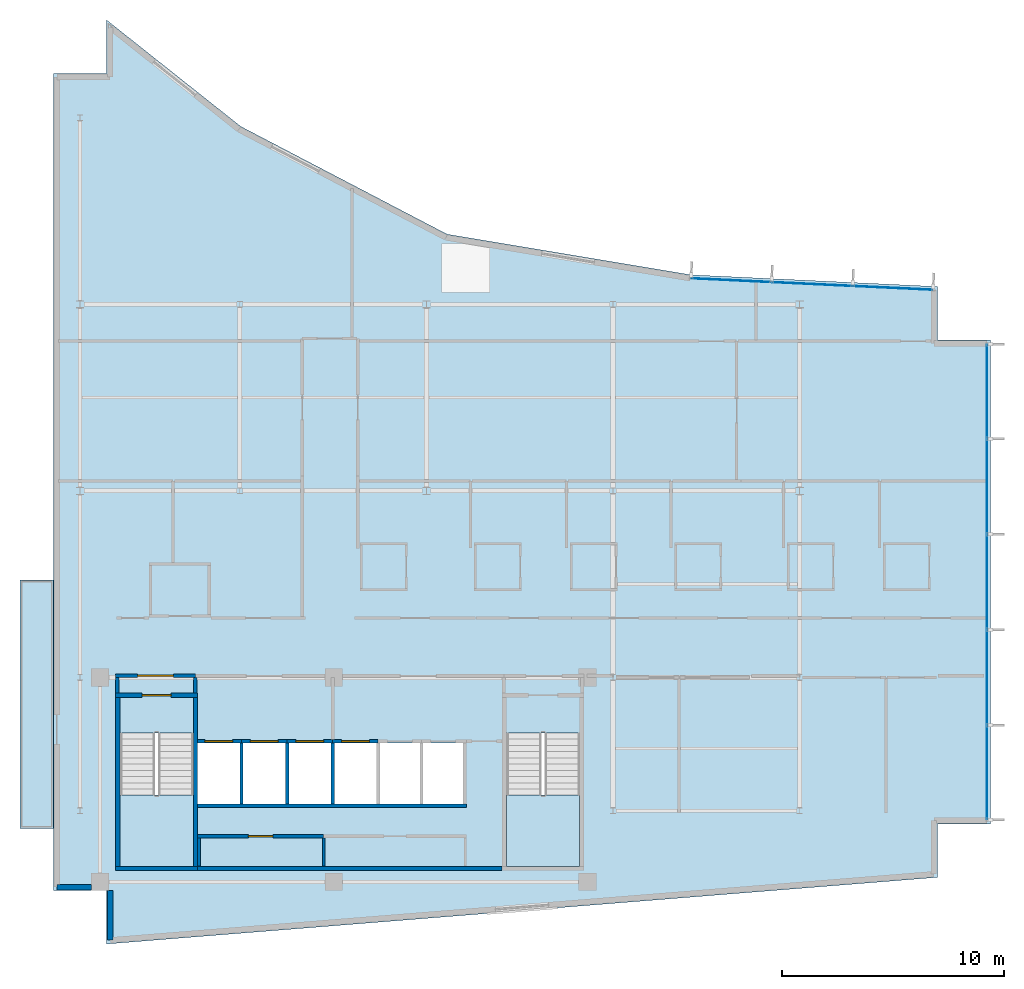
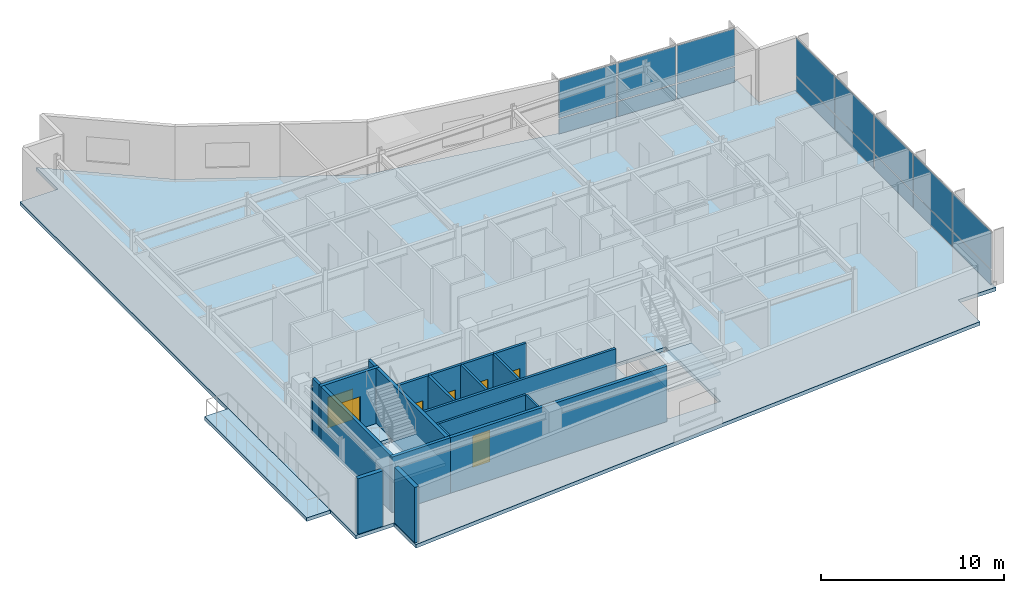
# One storey, part 9 of 16: 21 walls, 16 plates, 7 doors, 4 slabs, 7 openings, 4 elements without a shape of their own.
"""IFC4 building model written with IfcOpenShell, lengths in metres."""

from ifc_helpers import new_model, si_unit, direction, frame, frame_2d, origin, origin_2d, place, context, subcontext, project, spatial, polyline, rectangle, outline, extrude, material, layer, layer_set, type_object, element, fill, aggregate, save


model = new_model("IFC4")

# Units and contexts
model_context = context("Model", 3, precision=1e-05, world=origin(), true_north=direction((0.0, 1.0)))
body_context = subcontext(model_context, "Body", "Model", "MODEL_VIEW")
ifc_project = project(units=[si_unit("LENGTHUNIT", "METRE"), si_unit("AREAUNIT", "SQUARE_METRE"), si_unit("VOLUMEUNIT", "CUBIC_METRE"), si_unit("PLANEANGLEUNIT", "RADIAN"), si_unit("MASSUNIT", "GRAM", prefix="KILO")], contexts=[model_context])

# Site, building, storey
site_placement = place(None, origin())
site = spatial("IfcSite", under=ifc_project, at=site_placement, CompositionType="ELEMENT")
building_placement = place(site_placement, origin())
building = spatial("IfcBuilding", under=site, at=building_placement, Name="Varnakote Quay Hospital", CompositionType="ELEMENT")
storey_placement = place(building_placement, frame((0.0, 0.0, 260.5)))
storey = spatial("IfcBuildingStorey", under=building, at=storey_placement, Name="L64", CompositionType="ELEMENT", Elevation=260.5)

# Curtain wall, plates
ifc_material_1 = material(Name="Anodised aluminium 6063-T6 Bronze", Category="aluminium")
ifc_layer_1 = layer(ifc_material_1, 0.235107421875)
ifc_layer_set_1 = layer_set([ifc_layer_1], Name="Anodised aluminium 6063-T6 Bronze")
curtain_wall_type = type_object("IfcCurtainWallType", Name="CW-SYS-5", PredefinedType="NOTDEFINED", material=ifc_layer_set_1)
curtain_wall_1_placement = place(storey_placement, origin())
curtain_wall_1 = element("IfcCurtainWall", 1, at=curtain_wall_1_placement, inside=storey, type_object=curtain_wall_type, Name="L64 Unitised Bronze Curtain Wall 1", PredefinedType="NOTDEFINED")
ifc_material_2 = material(Name="Double-glazed low-E solar glass", Category="glass")
ifc_layer_2 = layer(ifc_material_2, 0.028076171875)
ifc_layer_set_2 = layer_set([ifc_layer_2], Name="Double-glazed low-E solar glass")
plate_type = type_object("IfcPlateType", Name="CW-PNL-GLZ-28", PredefinedType="CURTAIN_PANEL", material=ifc_layer_set_2)
plate_1_placement = place(storey_placement, frame((42.0400390625, 7.724365234375, 0.06494140625), z_axis=(0.0, 0.0, 1.0), x_axis=(0.0, 1.0, 0.0)))
plate_1 = element("IfcPlate", 2, at=plate_1_placement, type_object=plate_type, Name="-5-L64-1 panel 1.1", PredefinedType="CURTAIN_PANEL", context=body_context, shape_type="SweptSolid", body=[
    extrude(rectangle(XDim=4.198486328125, YDim=0.028076171875, at=origin_2d()), origin(), (0.0, 0.0, 1.0), 1.00244140625),
])
plate_2_placement = place(storey_placement, frame((42.0400390625, 7.724365234375, 1.13232421875), z_axis=(0.0, 0.0, 1.0), x_axis=(0.0, 1.0, 0.0)))
plate_2 = element("IfcPlate", 3, at=plate_2_placement, type_object=plate_type, Name="-5-L64-1 panel 1.2", PredefinedType="CURTAIN_PANEL", context=body_context, shape_type="SweptSolid", body=[
    extrude(rectangle(XDim=4.198486328125, YDim=0.028076171875, at=origin_2d()), origin(), (0.0, 0.0, 1.0), 2.512451171875),
])
plate_3_placement = place(storey_placement, frame((42.0400390625, 12.00390625, 0.06494140625), z_axis=(0.0, 0.0, 1.0), x_axis=(0.0, 1.0, 0.0)))
plate_3 = element("IfcPlate", 4, at=plate_3_placement, type_object=plate_type, Name="-5-L64-1 panel 2.1", PredefinedType="CURTAIN_PANEL", context=body_context, shape_type="SweptSolid", body=[
    extrude(rectangle(XDim=4.23095703125, YDim=0.028076171875, at=origin_2d()), origin(), (0.0, 0.0, 1.0), 1.00244140625),
])
plate_4_placement = place(storey_placement, frame((42.0400390625, 12.00390625, 1.13232421875), z_axis=(0.0, 0.0, 1.0), x_axis=(0.0, 1.0, 0.0)))
plate_4 = element("IfcPlate", 5, at=plate_4_placement, type_object=plate_type, Name="-5-L64-1 panel 2.2", PredefinedType="CURTAIN_PANEL", context=body_context, shape_type="SweptSolid", body=[
    extrude(rectangle(XDim=4.23095703125, YDim=0.028076171875, at=origin_2d()), origin(), (0.0, 0.0, 1.0), 2.512451171875),
])
plate_5_placement = place(storey_placement, frame((42.0400390625, 16.300048828125, 0.06494140625), z_axis=(0.0, 0.0, 1.0), x_axis=(0.0, 1.0, 0.0)))
plate_5 = element("IfcPlate", 6, at=plate_5_placement, type_object=plate_type, Name="-5-L64-1 panel 3.1", PredefinedType="CURTAIN_PANEL", context=body_context, shape_type="SweptSolid", body=[
    extrude(rectangle(XDim=4.23095703125, YDim=0.028076171875, at=origin_2d()), origin(), (0.0, 0.0, 1.0), 1.00244140625),
])
plate_6_placement = place(storey_placement, frame((42.0400390625, 16.300048828125, 1.13232421875), z_axis=(0.0, 0.0, 1.0), x_axis=(0.0, 1.0, 0.0)))
plate_6 = element("IfcPlate", 7, at=plate_6_placement, type_object=plate_type, Name="-5-L64-1 panel 3.2", PredefinedType="CURTAIN_PANEL", context=body_context, shape_type="SweptSolid", body=[
    extrude(rectangle(XDim=4.23095703125, YDim=0.028076171875, at=origin_2d()), origin(), (0.0, 0.0, 1.0), 2.512451171875),
])
plate_7_placement = place(storey_placement, frame((42.0400390625, 20.595947265625, 0.06494140625), z_axis=(0.0, 0.0, 1.0), x_axis=(0.0, 1.0, 0.0)))
plate_7 = element("IfcPlate", 8, at=plate_7_placement, type_object=plate_type, Name="-5-L64-1 panel 4.1", PredefinedType="CURTAIN_PANEL", context=body_context, shape_type="SweptSolid", body=[
    extrude(rectangle(XDim=4.23095703125, YDim=0.028076171875, at=origin_2d()), origin(), (0.0, 0.0, 1.0), 1.00244140625),
])
plate_8_placement = place(storey_placement, frame((42.0400390625, 20.595947265625, 1.13232421875), z_axis=(0.0, 0.0, 1.0), x_axis=(0.0, 1.0, 0.0)))
plate_8 = element("IfcPlate", 9, at=plate_8_placement, type_object=plate_type, Name="-5-L64-1 panel 4.2", PredefinedType="CURTAIN_PANEL", context=body_context, shape_type="SweptSolid", body=[
    extrude(rectangle(XDim=4.23095703125, YDim=0.028076171875, at=origin_2d()), origin(), (0.0, 0.0, 1.0), 2.512451171875),
])
plate_9_placement = place(storey_placement, frame((42.0400390625, 24.875732421875, 0.06494140625), z_axis=(0.0, 0.0, 1.0), x_axis=(0.0, 1.0, 0.0)))
plate_9 = element("IfcPlate", 10, at=plate_9_placement, type_object=plate_type, Name="-5-L64-1 panel 5.1", PredefinedType="CURTAIN_PANEL", context=body_context, shape_type="SweptSolid", body=[
    extrude(rectangle(XDim=4.198486328125, YDim=0.028076171875, at=origin_2d()), origin(), (0.0, 0.0, 1.0), 1.00244140625),
])
plate_10_placement = place(storey_placement, frame((42.0400390625, 24.875732421875, 1.13232421875), z_axis=(0.0, 0.0, 1.0), x_axis=(0.0, 1.0, 0.0)))
plate_10 = element("IfcPlate", 11, at=plate_10_placement, type_object=plate_type, Name="-5-L64-1 panel 5.2", PredefinedType="CURTAIN_PANEL", context=body_context, shape_type="SweptSolid", body=[
    extrude(rectangle(XDim=4.198486328125, YDim=0.028076171875, at=origin_2d()), origin(), (0.0, 0.0, 1.0), 2.512451171875),
])
aggregate(curtain_wall_1, [plate_1, plate_2, plate_3, plate_4, plate_5, plate_6, plate_7, plate_8, plate_9, plate_10])

curtain_wall_2_placement = place(storey_placement, origin())
curtain_wall_2 = element("IfcCurtainWall", 12, at=curtain_wall_2_placement, inside=storey, type_object=curtain_wall_type, Name="L64 Unitised Bronze Curtain Wall 2", PredefinedType="NOTDEFINED")
plate_11_placement = place(storey_placement, frame((37.796875, 29.53515625, 0.06494140625), z_axis=(0.0, 0.0, 1.0), x_axis=(-0.998871392955, 0.04749674026, 0.0)))
plate_11 = element("IfcPlate", 13, at=plate_11_placement, type_object=plate_type, Name="-5-L64-2 panel 1.1", PredefinedType="CURTAIN_PANEL", context=body_context, shape_type="SweptSolid", body=[
    extrude(rectangle(XDim=3.560302734375, YDim=0.028076171875, at=origin_2d()), origin(), (0.0, 0.0, 1.0), 1.00244140625),
])
plate_12_placement = place(storey_placement, frame((37.796875, 29.53515625, 1.13232421875), z_axis=(0.0, 0.0, 1.0), x_axis=(-0.998871392955, 0.04749674026, 0.0)))
plate_12 = element("IfcPlate", 14, at=plate_12_placement, type_object=plate_type, Name="-5-L64-2 panel 1.2", PredefinedType="CURTAIN_PANEL", context=body_context, shape_type="SweptSolid", body=[
    extrude(rectangle(XDim=3.560302734375, YDim=0.028076171875, at=origin_2d()), origin(), (0.0, 0.0, 1.0), 2.512451171875),
])
plate_13_placement = place(storey_placement, frame((34.159423828125, 29.7080078125, 0.06494140625), z_axis=(0.0, 0.0, 1.0), x_axis=(-0.998871392955, 0.04749674026, 0.0)))
plate_13 = element("IfcPlate", 15, at=plate_13_placement, type_object=plate_type, Name="-5-L64-2 panel 2.1", PredefinedType="CURTAIN_PANEL", context=body_context, shape_type="SweptSolid", body=[
    extrude(rectangle(XDim=3.5927734375, YDim=0.028076171875, at=origin_2d()), origin(), (0.0, 0.0, 1.0), 1.00244140625),
])
plate_14_placement = place(storey_placement, frame((34.159423828125, 29.7080078125, 1.13232421875), z_axis=(0.0, 0.0, 1.0), x_axis=(-0.998871392955, 0.04749674026, 0.0)))
plate_14 = element("IfcPlate", 16, at=plate_14_placement, type_object=plate_type, Name="-5-L64-2 panel 2.2", PredefinedType="CURTAIN_PANEL", context=body_context, shape_type="SweptSolid", body=[
    extrude(rectangle(XDim=3.5927734375, YDim=0.028076171875, at=origin_2d()), origin(), (0.0, 0.0, 1.0), 2.512451171875),
])
plate_15_placement = place(storey_placement, frame((30.52197265625, 29.880859375, 0.06494140625), z_axis=(0.0, 0.0, 1.0), x_axis=(-0.998871392955, 0.04749674026, 0.0)))
plate_15 = element("IfcPlate", 17, at=plate_15_placement, type_object=plate_type, Name="-5-L64-2 panel 3.1", PredefinedType="CURTAIN_PANEL", context=body_context, shape_type="SweptSolid", body=[
    extrude(rectangle(XDim=3.560302734375, YDim=0.028076171875, at=origin_2d()), origin(), (0.0, 0.0, 1.0), 1.00244140625),
])
plate_16_placement = place(storey_placement, frame((30.52197265625, 29.880859375, 1.13232421875), z_axis=(0.0, 0.0, 1.0), x_axis=(-0.998871392955, 0.04749674026, 0.0)))
plate_16 = element("IfcPlate", 18, at=plate_16_placement, type_object=plate_type, Name="-5-L64-2 panel 3.2", PredefinedType="CURTAIN_PANEL", context=body_context, shape_type="SweptSolid", body=[
    extrude(rectangle(XDim=3.560302734375, YDim=0.028076171875, at=origin_2d()), origin(), (0.0, 0.0, 1.0), 2.512451171875),
])
aggregate(curtain_wall_2, [plate_11, plate_12, plate_13, plate_14, plate_15, plate_16])

# Stair, slab
ifc_material_3 = material(Name="Concrete N40 (f'c 40 MPa)", Category="concrete")
stair_type = type_object("IfcStairType", Name="STR-CORE-1580", PredefinedType="HALF_TURN_STAIR", material=ifc_material_3)
stair_1_placement = place(storey_placement, origin())
stair_1 = element("IfcStair", 19, at=stair_1_placement, inside=storey, type_object=stair_type, Name="L64 Fire-Isolated Exit Stair ST-01", PredefinedType="HALF_TURN_STAIR")
ifc_material_4 = material(Name="Concrete N40 (f'c 40 MPa)", Category="concrete")
ifc_layer_3 = layer(ifc_material_4, 0.199951171875)
ifc_layer_set_3 = layer_set([ifc_layer_3], Name="Concrete N40 (f'c 40 MPa)")
slab_type_1 = type_object("IfcSlabType", Name="SLB-STAIR-LND-200", PredefinedType="LANDING", material=ifc_layer_set_3)
slab_1_placement = place(storey_placement, frame((0.0, 0.0, 1.77490234375)))
slab_1 = element("IfcSlab", 20, at=slab_1_placement, type_object=slab_type_1, Name="ST-01 landing 1", PredefinedType="LANDING", context=body_context, shape_type="SweptSolid", body=[
    extrude(outline(polyline([(3.0, 6.699951171875), (3.0, 3.5), (6.300048828125, 3.5), (6.300048828125, 6.699951171875), (3.0, 6.699951171875)])), origin(), (0.0, 0.0, 1.0), 0.2001953125),
])
aggregate(stair_1, [slab_1])

stair_2_placement = place(storey_placement, origin())
stair_2 = element("IfcStair", 21, at=stair_2_placement, inside=storey, type_object=stair_type, Name="L64 Fire-Isolated Exit Stair ST-02", PredefinedType="HALF_TURN_STAIR")
slab_2_placement = place(storey_placement, frame((0.0, 0.0, 1.77490234375)))
slab_2 = element("IfcSlab", 22, at=slab_2_placement, type_object=slab_type_1, Name="ST-02 landing 1", PredefinedType="LANDING", context=body_context, shape_type="SweptSolid", body=[
    extrude(outline(polyline([(20.39990234375, 6.699951171875), (20.39990234375, 3.5), (23.699951171875, 3.5), (23.699951171875, 6.699951171875), (20.39990234375, 6.699951171875)])), origin(), (0.0, 0.0, 1.0), 0.2001953125),
])
aggregate(stair_2, [slab_2])

# Slabs
ifc_material_5 = material(Name="Concrete N50 (f'c 50 MPa)", Category="concrete")
ifc_layer_4 = layer(ifc_material_5, 0.239990234375)
ifc_layer_set_4 = layer_set([ifc_layer_4], Name="Concrete N50 (f'c 50 MPa)")
slab_type_2 = type_object("IfcSlabType", Name="SLB-TERR-200", PredefinedType="FLOOR", material=ifc_layer_set_4)
slab_3_placement = place(storey_placement, frame((0.0, 0.0, -0.239990234375)))
element("IfcSlab", 23, at=slab_3_placement, inside=storey, type_object=slab_type_2, Name="L64 Waterfront Healing Terrace Slab", PredefinedType="FLOOR", context=body_context, shape_type="SweptSolid", body=[
    extrude(outline(polyline([(0.00390625, 5.199951171875), (0.00390625, 16.39990234375), (-1.5, 16.39990234375), (-1.5, 5.199951171875), (0.00390625, 5.199951171875)])), origin(), (0.0, 0.0, 1.0), 0.239990234375),
])
ifc_material_6 = material(Name="Concrete N50 (f'c 50 MPa)", Category="concrete")
ifc_layer_5 = layer(ifc_material_6, 0.239990234375)
ifc_layer_set_5 = layer_set([ifc_layer_5], Name="Concrete N50 (f'c 50 MPa)")
slab_type_3 = type_object("IfcSlabType", Name="SLB-WARD-200", PredefinedType="FLOOR", material=ifc_layer_set_5)
slab_4_placement = place(storey_placement, frame((0.0, 0.0, -0.239990234375)))
element("IfcSlab", 24, at=slab_4_placement, inside=storey, type_object=slab_type_3, Name="L64 Primary Floor Slab", PredefinedType="FLOOR", context=body_context, shape_type="SweptSolid", body=[
    extrude(outline(polyline([(0.0, 2.39990234375), (2.39990234375, 2.39990234375), (2.39990234375, 0.0), (39.800048828125, 3.0), (39.800048828125, 5.39990234375), (42.199951171875, 5.39990234375), (42.199951171875, 27.199951171875), (39.800048828125, 27.199951171875), (39.800048828125, 29.60009765625), (28.696044921875, 30.1279296875), (17.72412109375, 31.9599609375), (8.43994140625, 36.80810546875), (2.39990234375, 41.60009765625), (2.39990234375, 39.199951171875), (0.0, 39.199951171875), (0.0, 2.39990234375)]), holes=[polyline([(3.0, 3.5), (6.300048828125, 3.5), (6.300048828125, 9.49951171875), (3.0, 9.49951171875), (3.0, 3.5)]), polyline([(20.39990234375, 3.5), (23.699951171875, 3.5), (23.699951171875, 9.49951171875), (20.39990234375, 9.49951171875), (20.39990234375, 3.5)]), polyline([(6.5, 6.300048828125), (8.39990234375, 6.300048828125), (8.39990234375, 9.050048828125), (6.5, 9.050048828125), (6.5, 6.300048828125)]), polyline([(8.550048828125, 6.300048828125), (10.449951171875, 6.300048828125), (10.449951171875, 9.050048828125), (8.550048828125, 9.050048828125), (8.550048828125, 6.300048828125)]), polyline([(10.60009765625, 6.300048828125), (12.5, 6.300048828125), (12.5, 9.050048828125), (10.60009765625, 9.050048828125), (10.60009765625, 6.300048828125)]), polyline([(12.64990234375, 6.300048828125), (14.550048828125, 6.300048828125), (14.550048828125, 9.050048828125), (12.64990234375, 9.050048828125), (12.64990234375, 6.300048828125)]), polyline([(14.699951171875, 6.300048828125), (16.5, 6.300048828125), (16.5, 9.050048828125), (14.699951171875, 9.050048828125), (14.699951171875, 6.300048828125)]), polyline([(16.64990234375, 6.300048828125), (18.449951171875, 6.300048828125), (18.449951171875, 9.050048828125), (16.64990234375, 9.050048828125), (16.64990234375, 6.300048828125)])]), origin(), (0.0, 0.0, 1.0), 0.239990234375),
])

# Wall
ifc_material_7 = material(Name="Fire-rated acoustic gypsum stud wall", Category="gypsum")
ifc_layer_6 = layer(ifc_material_7, 0.159912109375)
ifc_layer_set_6 = layer_set([ifc_layer_6], Name="Fire-rated acoustic gypsum stud wall")
wall_type_1 = type_object("IfcWallType", Name="WL-COMP-160", PredefinedType="PARTITIONING", material=ifc_layer_set_6)
wall_1_placement = place(storey_placement, frame((2.8798828125, 11.300048828125, 0.0), z_axis=(0.0, 0.0, 1.0), x_axis=(0.0, 1.0, 0.0)))
element("IfcWall", 25, at=wall_1_placement, inside=storey, type_object=wall_type_1, Name="L64 West Stair Vestibule West Wall", PredefinedType="PARTITIONING", context=body_context, shape_type="SweptSolid", body=[
    extrude(rectangle(XDim=0.699951171875, YDim=0.159912109375, at=frame_2d((0.35009765625, 0.0))), origin(), (0.0, 0.0, 1.0), 3.7099609375),
])

# Wall, opening, door
wall_2_placement = place(storey_placement, frame((2.800048828125, 12.080078125, 0.0), z_axis=(0.0, 0.0, 1.0), x_axis=(1.0, 0.0, 0.0)))
wall_2 = element("IfcWall", 26, at=wall_2_placement, inside=storey, type_object=wall_type_1, Name="L64 West Stair Vestibule Smoke Wall", PredefinedType="PARTITIONING", context=body_context, shape_type="SweptSolid", body=[
    extrude(rectangle(XDim=3.599853515625, YDim=0.159912109375, at=frame_2d((1.7998046875, 0.0))), origin(), (0.0, 0.0, 1.0), 3.156982421875),
])
opening_1_placement = place(wall_2_placement, frame((1.0, 0.0, 0.0)))
opening_1 = element("IfcOpeningElement", 27, at=opening_1_placement, cuts=wall_2, Name="Opening D-ST1L-L64", PredefinedType="OPENING", context=body_context, shape_type="SweptSolid", body=[
    extrude(rectangle(XDim=1.60009765625, YDim=2.050048828125, at=frame_2d((0.800048828125, 1.02490234375))), frame((0.0, 0.08984375, 0.0), z_axis=(0.0, -1.0, 0.0), x_axis=(1.0, 0.0, 0.0)), (0.0, 0.0, 1.0), 0.179931640625),
])
ifc_material_8 = material(Name="Fire-rated double smoke lobby door")
door_type_1 = type_object("IfcDoorType", Name="DR-LOBBY-FD60S-1600x2150", OperationType="NOTDEFINED", PredefinedType="DOOR", material=ifc_material_8)
door_1_placement = place(opening_1_placement, origin())
door_1 = element("IfcDoor", 28, at=door_1_placement, inside=storey, type_object=door_type_1, Name="L64 West Stair Vestibule Smoke Door", OperationType="DOUBLE_DOOR_SINGLE_SWING", OverallHeight=2.050048828125, OverallWidth=1.60009765625, PredefinedType="DOOR", context=body_context, shape_type="SweptSolid", body=[
    extrude(rectangle(XDim=1.60009765625, YDim=2.050048828125, at=frame_2d((0.800048828125, 1.02490234375))), frame((0.0, 0.02490234375, 0.0), z_axis=(0.0, -1.0, 0.0), x_axis=(1.0, 0.0, 0.0)), (0.0, 0.0, 1.0), 0.050048828125),
])
fill(opening_1, door_1)

# Walls
wall_3_placement = place(storey_placement, frame((6.39990234375, 11.300048828125, 0.0), z_axis=(0.0, 0.0, 1.0), x_axis=(0.0, 1.0, 0.0)))
element("IfcWall", 29, at=wall_3_placement, inside=storey, type_object=wall_type_1, Name="L64 Firefighting Lobby West Wall", PredefinedType="PARTITIONING", context=body_context, shape_type="SweptSolid", body=[
    extrude(rectangle(XDim=0.699951171875, YDim=0.159912109375, at=frame_2d((0.35009765625, 0.0))), origin(), (0.0, 0.0, 1.0), 3.7099609375),
])
ifc_material_9 = material(Name="Concrete N50 (f'c 50 MPa)", Category="concrete")
ifc_layer_7 = layer(ifc_material_9, 0.199951171875)
ifc_layer_set_7 = layer_set([ifc_layer_7], Name="Concrete N50 (f'c 50 MPa)")
wall_type_2 = type_object("IfcWallType", Name="WL-CORE-N50-200", PredefinedType="SHEAR", material=ifc_layer_set_7)
wall_4_placement = place(storey_placement, frame((6.5, 3.39990234375, 0.0), z_axis=(0.0, 0.0, 1.0), x_axis=(1.0, 0.0, 0.0)))
element("IfcWall", 30, at=wall_4_placement, inside=storey, type_object=wall_type_2, Name="L64 Rear Core South Shear Wall", PredefinedType="SHEAR", context=body_context, shape_type="SweptSolid", body=[
    extrude(rectangle(XDim=13.699951171875, YDim=0.199951171875, at=frame_2d((6.85009765625, 0.0))), origin(), (0.0, 0.0, 1.0), 3.7099609375),
])
ifc_material_10 = material(Name="Precast concrete N50 (f'c 50 MPa)", Category="concrete")
ifc_layer_8 = layer(ifc_material_10, 0.260009765625)
ifc_layer_set_8 = layer_set([ifc_layer_8], Name="Precast concrete N50 (f'c 50 MPa)")
wall_type_3 = type_object("IfcWallType", Name="WL-EXT-BRICK-260", PredefinedType="STANDARD", material=ifc_layer_set_8)
wall_5_placement = place(storey_placement, frame((2.56005859375, 2.4150390625, 0.0), z_axis=(0.0, 0.0, 1.0), x_axis=(0.0, -1.0, 0.0)))
element("IfcWall", 31, at=wall_5_placement, inside=storey, type_object=wall_type_3, Name="L64 Brick-Faced Precast Exterior Wall", PredefinedType="STANDARD", context=body_context, shape_type="SweptSolid", body=[
    extrude(rectangle(XDim=2.24169921875, YDim=0.260009765625, at=frame_2d((1.120849609375, 0.0))), origin(), (0.0, 0.0, 1.0), 3.7099609375),
])
wall_6_placement = place(storey_placement, frame((0.159912109375, 2.56005859375, 0.0), z_axis=(0.0, 0.0, 1.0), x_axis=(1.0, 0.0, 0.0)))
element("IfcWall", 32, at=wall_6_placement, inside=storey, type_object=wall_type_3, Name="L64 Brick-Faced Precast Exterior Wall", PredefinedType="STANDARD", context=body_context, shape_type="SweptSolid", body=[
    extrude(rectangle(XDim=1.55517578125, YDim=0.260009765625, at=frame_2d((0.777587890625, 0.0))), origin(), (0.0, 0.0, 1.0), 3.7099609375),
])
ifc_material_11 = material(Name="Concrete N50 (f'c 50 MPa)", Category="concrete")
ifc_layer_9 = layer(ifc_material_11, 0.14990234375)
ifc_layer_set_9 = layer_set([ifc_layer_9], Name="Concrete N50 (f'c 50 MPa)")
wall_type_4 = type_object("IfcWallType", Name="WL-SHAFT-N50-150", PredefinedType="SHEAR", material=ifc_layer_set_9)
for number, where, z_axis, x_axis, name in (
    (33, (8.47509765625, 6.300048828125, 0.0), (0.0, 0.0, 1.0), (0.0, 1.0, 0.0), "L64 LF-FF1 Hoistway Divider Wall"),
    (34, (10.52490234375, 6.300048828125, 0.0), (0.0, 0.0, 1.0), (0.0, 1.0, 0.0), "L64 LF-FF2 Hoistway Divider Wall"),
    (35, (12.574951171875, 6.300048828125, 0.0), (0.0, 0.0, 1.0), (0.0, 1.0, 0.0), "L64 LF-SV1 Hoistway Divider Wall"),
):
    element("IfcWall", number, at=place(storey_placement, frame(where, z_axis=z_axis, x_axis=x_axis)), inside=storey, type_object=wall_type_4, Name=name, PredefinedType="SHEAR", context=body_context, shape_type="SweptSolid", body=[
        extrude(rectangle(XDim=2.75, YDim=0.14990234375, at=frame_2d((1.375, 0.0))), origin(), (0.0, 0.0, 1.0), 3.7099609375),
    ])
ifc_material_12 = material(Name="Concrete N50 (f'c 50 MPa)", Category="concrete")
ifc_layer_10 = layer(ifc_material_12, 0.159912109375)
ifc_layer_set_10 = layer_set([ifc_layer_10], Name="Concrete N50 (f'c 50 MPa)")
wall_type_5 = type_object("IfcWallType", Name="WL-SHAFT-N50-160", PredefinedType="SHEAR", material=ifc_layer_set_10)
wall_7_placement = place(storey_placement, frame((6.5, 6.219970703125, 0.0), z_axis=(0.0, 0.0, 1.0), x_axis=(1.0, 0.0, 0.0)))
element("IfcWall", 36, at=wall_7_placement, inside=storey, type_object=wall_type_5, Name="L64 REAR Lift Bank Back Shear Wall", PredefinedType="SHEAR", context=body_context, shape_type="SweptSolid", body=[
    extrude(rectangle(XDim=12.110107421875, YDim=0.159912109375, at=frame_2d((6.05517578125, 0.0))), origin(), (0.0, 0.0, 1.0), 3.7099609375),
])

# Wall, opening, door
wall_8_placement = place(storey_placement, frame((6.5, 9.1298828125, 0.0), z_axis=(0.0, 0.0, 1.0), x_axis=(1.0, 0.0, 0.0)))
wall_8 = element("IfcWall", 37, at=wall_8_placement, inside=storey, type_object=wall_type_5, Name="L64 LF-FF1 Hoistway Front Wall", PredefinedType="SHEAR", context=body_context, shape_type="SweptSolid", body=[
    extrude(rectangle(XDim=1.97509765625, YDim=0.159912109375, at=frame_2d((0.987548828125, 0.0))), origin(), (0.0, 0.0, 1.0), 3.7099609375),
])
opening_2_placement = place(wall_8_placement, frame((0.324951171875, 0.0, 0.0)))
opening_2 = element("IfcOpeningElement", 38, at=opening_2_placement, cuts=wall_8, Name="Opening LD-FF1-L64", PredefinedType="OPENING", context=body_context, shape_type="SweptSolid", body=[
    extrude(rectangle(XDim=1.25, YDim=2.14990234375, at=frame_2d((0.625, 1.074951171875))), frame((0.0, 0.08984375, 0.0), z_axis=(0.0, -1.0, 0.0), x_axis=(1.0, 0.0, 0.0)), (0.0, 0.0, 1.0), 0.179931640625),
])
ifc_material_13 = material(Name="Stainless steel lift landing sliding door", Category="steel")
door_type_2 = type_object("IfcDoorType", Name="DR-LIFT-LD-1250x2150", OperationType="NOTDEFINED", PredefinedType="DOOR", material=ifc_material_13)
door_2_placement = place(opening_2_placement, origin())
door_2 = element("IfcDoor", 39, at=door_2_placement, inside=storey, type_object=door_type_2, Name="L64 LF-FF1 Lift Landing Sliding Door", OperationType="SLIDING_TO_LEFT", OverallHeight=2.14990234375, OverallWidth=1.25, PredefinedType="DOOR", context=body_context, shape_type="SweptSolid", body=[
    extrude(rectangle(XDim=1.25, YDim=2.14990234375, at=frame_2d((0.625, 1.074951171875))), frame((0.0, 0.02490234375, 0.0), z_axis=(0.0, -1.0, 0.0), x_axis=(1.0, 0.0, 0.0)), (0.0, 0.0, 1.0), 0.050048828125),
])
fill(opening_2, door_2)

wall_9_placement = place(storey_placement, frame((8.47509765625, 9.1298828125, 0.0), z_axis=(0.0, 0.0, 1.0), x_axis=(1.0, 0.0, 0.0)))
wall_9 = element("IfcWall", 40, at=wall_9_placement, inside=storey, type_object=wall_type_5, Name="L64 LF-FF2 Hoistway Front Wall", PredefinedType="SHEAR", context=body_context, shape_type="SweptSolid", body=[
    extrude(rectangle(XDim=2.0498046875, YDim=0.159912109375, at=frame_2d((1.02490234375, 0.0))), origin(), (0.0, 0.0, 1.0), 3.7099609375),
])
opening_3_placement = place(wall_9_placement, frame((0.39990234375, 0.0, 0.0)))
opening_3 = element("IfcOpeningElement", 41, at=opening_3_placement, cuts=wall_9, Name="Opening LD-FF2-L64", PredefinedType="OPENING", context=body_context, shape_type="SweptSolid", body=[
    extrude(rectangle(XDim=1.25, YDim=2.14990234375, at=frame_2d((0.625, 1.074951171875))), frame((0.0, 0.08984375, 0.0), z_axis=(0.0, -1.0, 0.0), x_axis=(1.0, 0.0, 0.0)), (0.0, 0.0, 1.0), 0.179931640625),
])
door_3_placement = place(opening_3_placement, origin())
door_3 = element("IfcDoor", 42, at=door_3_placement, inside=storey, type_object=door_type_2, Name="L64 LF-FF2 Lift Landing Sliding Door", OperationType="SLIDING_TO_LEFT", OverallHeight=2.14990234375, OverallWidth=1.25, PredefinedType="DOOR", context=body_context, shape_type="SweptSolid", body=[
    extrude(rectangle(XDim=1.25, YDim=2.14990234375, at=frame_2d((0.625, 1.074951171875))), frame((0.0, 0.02490234375, 0.0), z_axis=(0.0, -1.0, 0.0), x_axis=(1.0, 0.0, 0.0)), (0.0, 0.0, 1.0), 0.050048828125),
])
fill(opening_3, door_3)

wall_10_placement = place(storey_placement, frame((10.52490234375, 9.1298828125, 0.0), z_axis=(0.0, 0.0, 1.0), x_axis=(1.0, 0.0, 0.0)))
wall_10 = element("IfcWall", 43, at=wall_10_placement, inside=storey, type_object=wall_type_5, Name="L64 LF-SV1 Hoistway Front Wall", PredefinedType="SHEAR", context=body_context, shape_type="SweptSolid", body=[
    extrude(rectangle(XDim=2.050048828125, YDim=0.159912109375, at=frame_2d((1.02490234375, 0.0))), origin(), (0.0, 0.0, 1.0), 3.7099609375),
])
opening_4_placement = place(wall_10_placement, frame((0.39990234375, 0.0, 0.0)))
opening_4 = element("IfcOpeningElement", 44, at=opening_4_placement, cuts=wall_10, Name="Opening LD-SV1-L64", PredefinedType="OPENING", context=body_context, shape_type="SweptSolid", body=[
    extrude(rectangle(XDim=1.25, YDim=2.14990234375, at=frame_2d((0.625, 1.074951171875))), frame((0.0, 0.08984375, 0.0), z_axis=(0.0, -1.0, 0.0), x_axis=(1.0, 0.0, 0.0)), (0.0, 0.0, 1.0), 0.179931640625),
])
door_4_placement = place(opening_4_placement, origin())
door_4 = element("IfcDoor", 45, at=door_4_placement, inside=storey, type_object=door_type_2, Name="L64 LF-SV1 Lift Landing Sliding Door", OperationType="SLIDING_TO_LEFT", OverallHeight=2.14990234375, OverallWidth=1.25, PredefinedType="DOOR", context=body_context, shape_type="SweptSolid", body=[
    extrude(rectangle(XDim=1.25, YDim=2.14990234375, at=frame_2d((0.625, 1.074951171875))), frame((0.0, 0.02490234375, 0.0), z_axis=(0.0, -1.0, 0.0), x_axis=(1.0, 0.0, 0.0)), (0.0, 0.0, 1.0), 0.050048828125),
])
fill(opening_4, door_4)

wall_11_placement = place(storey_placement, frame((12.574951171875, 9.1298828125, 0.0), z_axis=(0.0, 0.0, 1.0), x_axis=(1.0, 0.0, 0.0)))
wall_11 = element("IfcWall", 46, at=wall_11_placement, inside=storey, type_object=wall_type_5, Name="L64 LF-SV2 Hoistway Front Wall", PredefinedType="SHEAR", context=body_context, shape_type="SweptSolid", body=[
    extrude(rectangle(XDim=2.050048828125, YDim=0.159912109375, at=frame_2d((1.02490234375, 0.0))), origin(), (0.0, 0.0, 1.0), 3.7099609375),
])
opening_5_placement = place(wall_11_placement, frame((0.39990234375, 0.0, 0.0)))
opening_5 = element("IfcOpeningElement", 47, at=opening_5_placement, cuts=wall_11, Name="Opening LD-SV2-L64", PredefinedType="OPENING", context=body_context, shape_type="SweptSolid", body=[
    extrude(rectangle(XDim=1.25, YDim=2.14990234375, at=frame_2d((0.625, 1.074951171875))), frame((0.0, 0.08984375, 0.0), z_axis=(0.0, -1.0, 0.0), x_axis=(1.0, 0.0, 0.0)), (0.0, 0.0, 1.0), 0.179931640625),
])
door_5_placement = place(opening_5_placement, origin())
door_5 = element("IfcDoor", 48, at=door_5_placement, inside=storey, type_object=door_type_2, Name="L64 LF-SV2 Lift Landing Sliding Door", OperationType="SLIDING_TO_LEFT", OverallHeight=2.14990234375, OverallWidth=1.25, PredefinedType="DOOR", context=body_context, shape_type="SweptSolid", body=[
    extrude(rectangle(XDim=1.25, YDim=2.14990234375, at=frame_2d((0.625, 1.074951171875))), frame((0.0, 0.02490234375, 0.0), z_axis=(0.0, -1.0, 0.0), x_axis=(1.0, 0.0, 0.0)), (0.0, 0.0, 1.0), 0.050048828125),
])
fill(opening_5, door_5)

# Walls
ifc_material_14 = material(Name="Concrete N50 (f'c 50 MPa)", Category="concrete")
ifc_layer_11 = layer(ifc_material_14, 0.199951171875)
ifc_layer_set_11 = layer_set([ifc_layer_11], Name="Concrete N50 (f'c 50 MPa)")
wall_type_6 = type_object("IfcWallType", Name="WL-SHAFT-N50-200", PredefinedType="SHEAR", material=ifc_layer_set_11)
wall_12_placement = place(storey_placement, frame((2.800048828125, 3.39990234375, 0.0), z_axis=(0.0, 0.0, 1.0), x_axis=(1.0, 0.0, 0.0)))
element("IfcWall", 49, at=wall_12_placement, inside=storey, type_object=wall_type_6, Name="L64 Stair ST1 South Shaft Wall", PredefinedType="SHEAR", context=body_context, shape_type="SweptSolid", body=[
    extrude(rectangle(XDim=3.699951171875, YDim=0.199951171875, at=frame_2d((1.85009765625, 0.0))), origin(), (0.0, 0.0, 1.0), 3.7099609375),
])
for number, where, z_axis, x_axis, name in (
    (50, (2.89990234375, 3.5, 0.0), (0.0, 0.0, 1.0), (0.0, 1.0, 0.0), "L64 Stair ST1 West Shaft Wall"),
    (51, (6.39990234375, 3.5, 0.0), (0.0, 0.0, 1.0), (0.0, 1.0, 0.0), "L64 Stair ST1 East Shaft Wall"),
):
    element("IfcWall", number, at=place(storey_placement, frame(where, z_axis=z_axis, x_axis=x_axis)), inside=storey, type_object=wall_type_6, Name=name, PredefinedType="SHEAR", context=body_context, shape_type="SweptSolid", body=[
        extrude(rectangle(XDim=7.60009765625, YDim=0.199951171875, at=frame_2d((3.800048828125, 0.0))), origin(), (0.0, 0.0, 1.0), 3.7099609375),
    ])

# Wall, opening, door
wall_13_placement = place(storey_placement, frame((2.800048828125, 11.199951171875, 0.0), z_axis=(0.0, 0.0, 1.0), x_axis=(1.0, 0.0, 0.0)))
wall_13 = element("IfcWall", 52, at=wall_13_placement, inside=storey, type_object=wall_type_6, Name="L64 Stair ST1 Exit Wall", PredefinedType="SHEAR", context=body_context, shape_type="SweptSolid", body=[
    extrude(rectangle(XDim=3.699951171875, YDim=0.199951171875, at=frame_2d((1.85009765625, 0.0))), origin(), (0.0, 0.0, 1.0), 3.7099609375),
])
opening_6_placement = place(wall_13_placement, frame((1.199951171875, 0.0, 0.0)))
opening_6 = element("IfcOpeningElement", 53, at=opening_6_placement, cuts=wall_13, Name="Opening D-ST1-L64", PredefinedType="OPENING", context=body_context, shape_type="SweptSolid", body=[
    extrude(rectangle(XDim=1.300048828125, YDim=2.14990234375, at=frame_2d((0.64990234375, 1.074951171875))), frame((0.0, 0.10986328125, 0.0), z_axis=(0.0, -1.0, 0.0), x_axis=(1.0, 0.0, 0.0)), (0.0, 0.0, 1.0), 0.219970703125),
])
ifc_material_15 = material(Name="Fire-rated ceramic-glazed timber exit door", Category="wood")
door_type_3 = type_object("IfcDoorType", Name="DR-STAIR-FD60S-1300x2150", OperationType="NOTDEFINED", PredefinedType="DOOR", material=ifc_material_15)
door_6_placement = place(opening_6_placement, origin())
door_6 = element("IfcDoor", 54, at=door_6_placement, inside=storey, type_object=door_type_3, Name="L64 Stair ST1 Fire Exit Door", OperationType="SINGLE_SWING_LEFT", OverallHeight=2.14990234375, OverallWidth=1.300048828125, PredefinedType="DOOR", context=body_context, shape_type="SweptSolid", body=[
    extrude(rectangle(XDim=1.300048828125, YDim=2.14990234375, at=frame_2d((0.64990234375, 1.074951171875))), frame((0.0, 0.02490234375, 0.0), z_axis=(0.0, -1.0, 0.0), x_axis=(1.0, 0.0, 0.0)), (0.0, 0.0, 1.0), 0.050048828125),
])
fill(opening_6, door_6)

# Walls
ifc_material_16 = material(Name="Smoke-proof clinical partition", Category="gypsum")
ifc_layer_12 = layer(ifc_material_16, 0.1201171875)
ifc_layer_set_12 = layer_set([ifc_layer_12], Name="Smoke-proof clinical partition")
wall_type_7 = type_object("IfcWallType", Name="WL-SMOKE-120", PredefinedType="PARTITIONING", material=ifc_layer_set_12)
for number, where, z_axis, x_axis, name in (
    (55, (6.56005859375, 3.52001953125, 0.0), (0.0, 0.0, 1.0), (0.0, 1.0, 0.0), "L64 Core South Service West Wall"),
    (56, (12.169921875, 3.52001953125, 0.0), (0.0, 0.0, 1.0), (0.0, 1.0, 0.0), "L64 Core South Service Divider"),
):
    element("IfcWall", number, at=place(storey_placement, frame(where, z_axis=z_axis, x_axis=x_axis)), inside=storey, type_object=wall_type_7, Name=name, PredefinedType="PARTITIONING", context=body_context, shape_type="SweptSolid", body=[
        extrude(rectangle(XDim=1.260009765625, YDim=0.1201171875, at=frame_2d((0.6298828125, 0.0))), origin(), (0.0, 0.0, 1.0), 3.7099609375),
    ])

# Wall, opening, door
ifc_material_17 = material(Name="Fire-rated clinical gypsum partition", Category="gypsum")
ifc_layer_13 = layer(ifc_material_17, 0.139892578125)
ifc_layer_set_13 = layer_set([ifc_layer_13], Name="Fire-rated clinical gypsum partition")
wall_type_8 = type_object("IfcWallType", Name="WL-WARD-140", PredefinedType="PARTITIONING", material=ifc_layer_set_13)
wall_14_placement = place(storey_placement, frame((6.5, 4.85009765625, 0.0), z_axis=(0.0, 0.0, 1.0), x_axis=(1.0, 0.0, 0.0)))
wall_14 = element("IfcWall", 57, at=wall_14_placement, inside=storey, type_object=wall_type_8, Name="L64 Core Clean Linen Store North Wall", PredefinedType="PARTITIONING", context=body_context, shape_type="SweptSolid", body=[
    extrude(rectangle(XDim=5.669921875, YDim=0.139892578125, at=frame_2d((2.8349609375, 0.0))), origin(), (0.0, 0.0, 1.0), 3.7099609375),
])
opening_7_placement = place(wall_14_placement, frame((2.284912109375, 0.0, 0.0)))
opening_7 = element("IfcOpeningElement", 58, at=opening_7_placement, cuts=wall_14, Name="Opening D-L64-CR01", PredefinedType="OPENING", context=body_context, shape_type="SweptSolid", body=[
    extrude(rectangle(XDim=1.10009765625, YDim=2.10009765625, at=frame_2d((0.550048828125, 1.050048828125))), frame((0.0, 0.079833984375, 0.0), z_axis=(0.0, -1.0, 0.0), x_axis=(1.0, 0.0, 0.0)), (0.0, 0.0, 1.0), 0.159912109375),
])
ifc_material_18 = material(Name="Acoustic timber clinical consult door", Category="wood")
door_type_4 = type_object("IfcDoorType", Name="DR-CLIN-FD30S-1100x2100", OperationType="NOTDEFINED", PredefinedType="DOOR", material=ifc_material_18)
door_7_placement = place(opening_7_placement, origin())
door_7 = element("IfcDoor", 59, at=door_7_placement, inside=storey, type_object=door_type_4, Name="L64 Core Clean Linen Store Door", OperationType="SINGLE_SWING_LEFT", OverallHeight=2.10009765625, OverallWidth=1.10009765625, PredefinedType="DOOR", context=body_context, shape_type="SweptSolid", body=[
    extrude(rectangle(XDim=1.10009765625, YDim=2.10009765625, at=frame_2d((0.550048828125, 1.050048828125))), frame((0.0, 0.02490234375, 0.0), z_axis=(0.0, -1.0, 0.0), x_axis=(1.0, 0.0, 0.0)), (0.0, 0.0, 1.0), 0.050048828125),
])
fill(opening_7, door_7)

save(model, "model.ifc")
